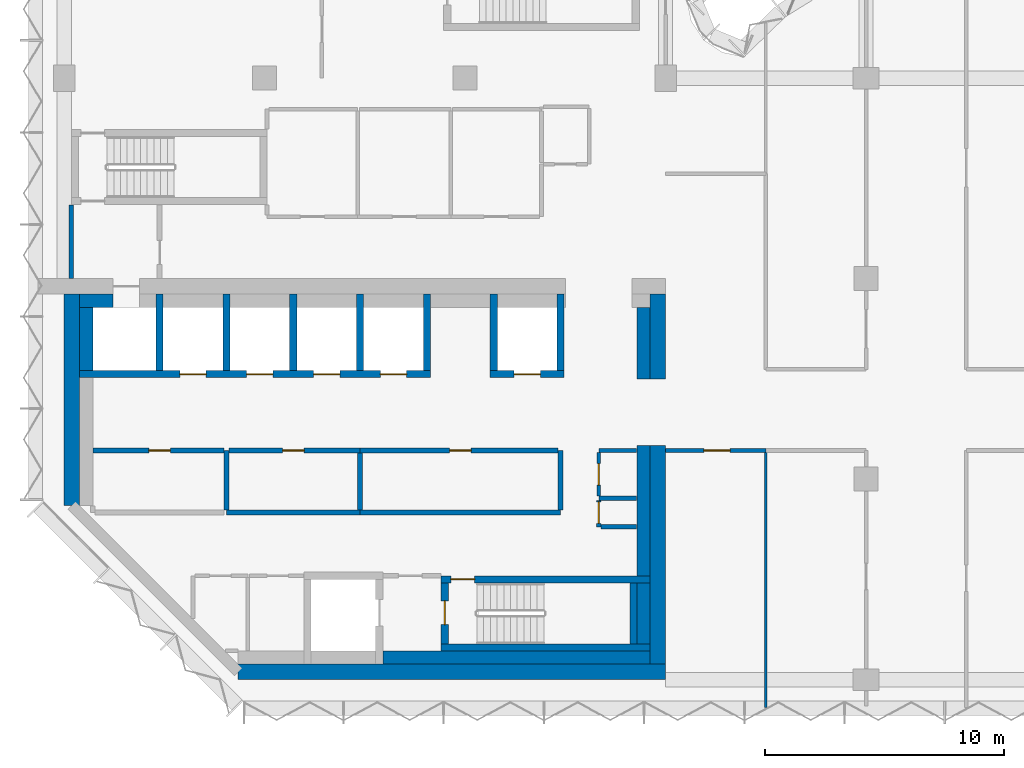
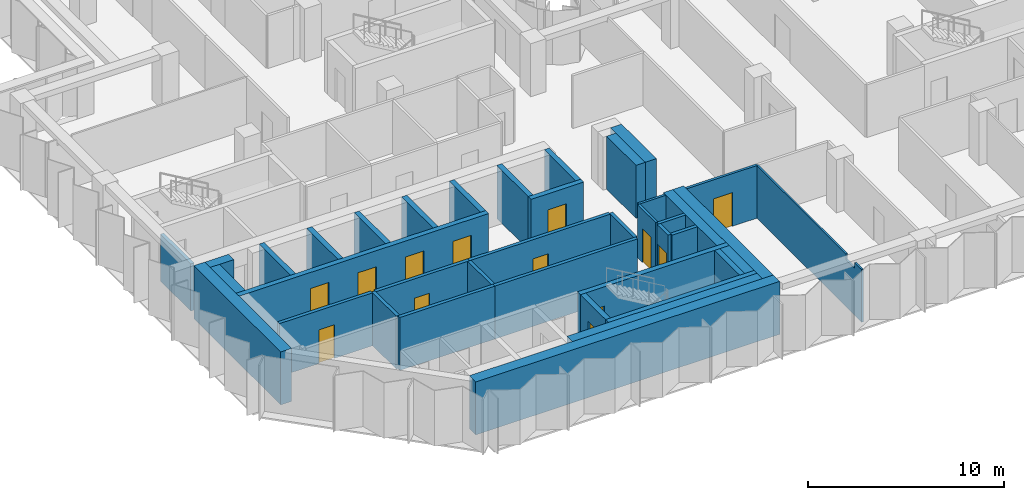
# One storey, part 5 of 10: 39 walls, 13 doors, 13 openings.
"""IFC4 building model written with IfcOpenShell, lengths in metres."""

import ifcopenshell
import ifcopenshell.guid

model = None  # the IFC model being written
_history = None  # IfcOwnerHistory: only IFC2X3 demands one
_inside = {}  # id of a spatial element -> (the spatial element, [elements in it])
_under = {}  # id of a project, library or spatial element -> (it, [spatial elements below it])
_declared = {}  # id of a project -> (the project, [libraries it declares])
_typed = {}  # id of a type object -> (the type object, [elements of that type])
_made_of = {}  # id of a material, layer set ... -> (it, [elements and type objects made of it])


def new_model(schema):
    """Start an empty IFC model of exactly this schema.

    Asked for "IFC4X3", IfcOpenShell would pick the latest addendum, in which some entities
    have other attributes; the version numbers below select the first issue.
    IFC2X3 requires an IfcOwnerHistory on every rooted entity: one is made here for all.
    """
    global model, _history
    if schema == "IFC4X3":
        model = ifcopenshell.file(schema_version=(4, 3, 0, 0))
    else:
        model = ifcopenshell.file(schema=schema)
    _inside.clear()
    _under.clear()
    _declared.clear()
    _typed.clear()
    _made_of.clear()
    _history = None
    if model.schema == "IFC2X3":
        org = make("IfcOrganization", Name="unknown")
        user = make(
            "IfcPersonAndOrganization",
            ThePerson=make("IfcPerson", FamilyName="unknown"),
            TheOrganization=org,
        )
        app = make(
            "IfcApplication",
            ApplicationDeveloper=org,
            Version="unknown",
            ApplicationFullName="unknown",
            ApplicationIdentifier="unknown",
        )
        _history = make(
            "IfcOwnerHistory",
            OwningUser=user,
            OwningApplication=app,
            ChangeAction="ADDED",
            CreationDate=0,
        )
    return model


def make(cls, **values):
    """One entity of the class cls with the attributes given. An attribute that is None is left unset."""
    return model.create_entity(
        cls, **{name: value for name, value in values.items() if value is not None}
    )


def rooted(cls, **values):
    """An entity with a GlobalId (a new one), such as an element, a storey or a relation."""
    return make(cls, GlobalId=ifcopenshell.guid.new(), OwnerHistory=_history, **values)


def si_unit(unit_type, name, prefix=None):
    """IfcSIUnit, for example si_unit("LENGTHUNIT", "METRE", prefix="MILLI")."""
    return make("IfcSIUnit", UnitType=unit_type, Prefix=prefix, Name=name)


def assignment(units):
    """IfcUnitAssignment: the units of a project."""
    return None if units is None else make("IfcUnitAssignment", Units=units)


def point(xyz):
    """IfcCartesianPoint."""
    return None if xyz is None else make("IfcCartesianPoint", Coordinates=xyz)


def direction(xyz):
    """IfcDirection."""
    return None if xyz is None else make("IfcDirection", DirectionRatios=xyz)


def frame(location, z_axis=None, x_axis=None):
    """IfcAxis2Placement3D, a coordinate frame: its origin and axes. An axis left out is left unset."""
    return make(
        "IfcAxis2Placement3D",
        Location=point(location),
        Axis=direction(z_axis),
        RefDirection=direction(x_axis),
    )


def frame_2d(location, x_axis=None):
    """IfcAxis2Placement2D, a coordinate frame in the plane: its origin and x axis."""
    return make(
        "IfcAxis2Placement2D", Location=point(location), RefDirection=direction(x_axis)
    )


def origin():
    """The frame at (0, 0, 0) with its axes left unset."""
    return frame((0.0, 0.0, 0.0))


def place(relative_to, where):
    """IfcLocalPlacement: puts the frame where relative to a parent placement (None: the world)."""
    return make(
        "IfcLocalPlacement", PlacementRelTo=relative_to, RelativePlacement=where
    )


def context(
    kind, dimensions, precision=None, world=None, true_north=None, identifier=None
):
    """IfcGeometricRepresentationContext, for example the 3D "Model" context."""
    return make(
        "IfcGeometricRepresentationContext",
        ContextIdentifier=identifier,
        ContextType=kind,
        CoordinateSpaceDimension=dimensions,
        Precision=precision,
        WorldCoordinateSystem=world,
        TrueNorth=true_north,
    )


def subcontext(parent, identifier, kind, view, scale=None):
    """IfcGeometricRepresentationSubContext, for example "Body" below "Model"."""
    return make(
        "IfcGeometricRepresentationSubContext",
        ContextIdentifier=identifier,
        ContextType=kind,
        ParentContext=parent,
        TargetScale=scale,
        TargetView=view,
    )


def project(units=None, contexts=None):
    """IfcProject with its units and contexts."""
    return rooted(
        "IfcProject",
        Name="project",
        RepresentationContexts=contexts,
        UnitsInContext=assignment(units),
    )


def spatial(cls, under=None, at=None, **own):
    """A site, building, storey or space (cls), placed at a placement, below another one or the project."""
    s = rooted(cls, ObjectPlacement=at, **own)
    if under is not None:
        _under.setdefault(under.id(), (under, []))[1].append(s)
    return s


def polyline(points):
    """IfcPolyline through the points."""
    return make("IfcPolyline", Points=[point(p) for p in points])


def profile(cls, at=None, kind="AREA", **sizes):
    """A parametric profile (cls). Its sizes go by their IFC names, for example OverallWidth=200.0."""
    return make(cls, ProfileType=kind, Position=at, **sizes)


def rectangle(**sizes):
    """IfcRectangleProfileDef."""
    return profile("IfcRectangleProfileDef", **sizes)


def outline(outer, holes=None, kind="AREA"):
    """IfcArbitraryClosedProfileDef: a profile drawn as a closed curve; with holes, ...WithVoids."""
    if holes is None:
        return make("IfcArbitraryClosedProfileDef", ProfileType=kind, OuterCurve=outer)
    return make(
        "IfcArbitraryProfileDefWithVoids",
        ProfileType=kind,
        OuterCurve=outer,
        InnerCurves=holes,
    )


def extrude(swept, where, along, depth):
    """IfcExtrudedAreaSolid: the profile swept, set in the frame where, extruded along a direction by depth."""
    return make(
        "IfcExtrudedAreaSolid",
        SweptArea=swept,
        Position=where,
        ExtrudedDirection=direction(along),
        Depth=depth,
    )


def shape(context_of_items, identifier, shape_type, items):
    """IfcShapeRepresentation: the items that make up one representation, for example the "Body"."""
    return make(
        "IfcShapeRepresentation",
        ContextOfItems=context_of_items,
        RepresentationIdentifier=identifier,
        RepresentationType=shape_type,
        Items=items,
    )


def material(Name=None, Category=None):
    """IfcMaterial."""
    return make("IfcMaterial", Name=Name, Category=Category)


def layer(
    of_material, thickness, ventilated=None, Name=None, Category=None, Priority=None
):
    """IfcMaterialLayer: one layer of a wall or slab, of a material (None: an air gap)."""
    return make(
        "IfcMaterialLayer",
        Material=of_material,
        LayerThickness=thickness,
        IsVentilated=ventilated,
        Name=Name,
        Category=Category,
        Priority=Priority,
    )


def layer_set(layers, Name=None):
    """IfcMaterialLayerSet."""
    return make("IfcMaterialLayerSet", MaterialLayers=layers, LayerSetName=Name)


def made_of(thing, what):
    """Note that an element or type object is made of a material, layer set ...; save() writes the relation."""
    if what is not None:
        _made_of.setdefault(what.id(), (what, []))[1].append(thing)
    return thing


def type_object(cls, material=None, **own):
    """A type object (cls), such as IfcWallType, which elements share."""
    return made_of(rooted(cls, **own), material)


def element(
    cls,
    number,
    at=None,
    inside=None,
    cuts=None,
    type_object=None,
    material=None,
    context=None,
    identifier="Body",
    shape_type=None,
    held_by="IfcProductDefinitionShape",
    body=None,
    shapes=None,
    **own,
):
    """One element of the class cls, such as IfcWall. Its Tag is "e" and its number.

    at: its placement. inside: the storey or other place that contains it. cuts: it is an
    opening in that element (IfcRelVoidsElement). A single representation is given by context,
    identifier, shape_type and body (its items); several are given by shapes. held_by: the class
    of the entity that holds the representations. save() writes the other relations.
    """
    e = rooted(cls, Tag="e%d" % number, ObjectPlacement=at, **own)
    if body is not None:
        shapes = [shape(context, identifier, shape_type, body)]
    if shapes is not None:
        e.Representation = make(held_by, Representations=shapes)
    if inside is not None:
        _inside.setdefault(inside.id(), (inside, []))[1].append(e)
    if cuts is not None:
        rooted(
            "IfcRelVoidsElement", RelatingBuildingElement=cuts, RelatedOpeningElement=e
        )
    if type_object is not None:
        _typed.setdefault(type_object.id(), (type_object, []))[1].append(e)
    return made_of(e, material)


def fill(opening, filler):
    """IfcRelFillsElement: the door or window that sits in an opening."""
    return rooted(
        "IfcRelFillsElement",
        RelatingOpeningElement=opening,
        RelatedBuildingElement=filler,
    )


def aggregate(whole, parts):
    """IfcRelAggregates: a whole, such as a stair, and the parts it consists of."""
    return rooted("IfcRelAggregates", RelatingObject=whole, RelatedObjects=parts)


def save(model, path):
    """Write the relations noted so far, then the file.

    IfcRelAggregates (storeys below a building ...), IfcRelContainedInSpatialStructure (elements
    in a storey), IfcRelDefinesByType, IfcRelAssociatesMaterial and IfcRelDeclares: one each for
    every whole, place, type object, material and project.
    """
    for whole, parts in _under.values():
        aggregate(whole, parts)
    for where, things in _inside.values():
        rooted(
            "IfcRelContainedInSpatialStructure",
            RelatedElements=things,
            RelatingStructure=where,
        )
    for kind, things in _typed.values():
        rooted("IfcRelDefinesByType", RelatedObjects=things, RelatingType=kind)
    for what, things in _made_of.values():
        rooted("IfcRelAssociatesMaterial", RelatedObjects=things, RelatingMaterial=what)
    for by, libraries in _declared.values():
        rooted("IfcRelDeclares", RelatingContext=by, RelatedDefinitions=libraries)
    model.write(path)


model = new_model("IFC4")

# Units and contexts
model_context = context("Model", 3, precision=1e-05, world=origin(), true_north=direction((0.0, 1.0)))
body_context = subcontext(model_context, "Body", "Model", "MODEL_VIEW")
ifc_project = project(units=[si_unit("LENGTHUNIT", "METRE"), si_unit("AREAUNIT", "SQUARE_METRE"), si_unit("VOLUMEUNIT", "CUBIC_METRE"), si_unit("PLANEANGLEUNIT", "RADIAN"), si_unit("MASSUNIT", "GRAM", prefix="KILO")], contexts=[model_context])

# Site, building, storey
site_placement = place(None, origin())
site = spatial("IfcSite", under=ifc_project, at=site_placement, CompositionType="ELEMENT")
building_placement = place(site_placement, origin())
building = spatial("IfcBuilding", under=site, at=building_placement, Name="Brevane Broadcast Tower", CompositionType="ELEMENT")
storey_placement = place(building_placement, frame((0.0, 0.0, 202.800048828125)))
storey = spatial("IfcBuildingStorey", under=building, at=storey_placement, Name="L51", CompositionType="ELEMENT", Elevation=202.800048828125)

# Walls
ifc_material_1 = material(Name="Concrete C32/40", Category="concrete")
ifc_layer_1 = layer(ifc_material_1, 0.550048828125)
ifc_layer_set_1 = layer_set([ifc_layer_1], Name="Core chase wall 550 mm")
wall_type_1 = type_object("IfcWallType", Name="Core chase wall 550 mm", PredefinedType="PARTITIONING", material=ifc_layer_set_1)
wall_1_placement = place(storey_placement, frame((24.27490234375, 12.60009765625, 0.0), z_axis=(0.0, 0.0, 1.0), x_axis=(0.0, 1.0, 0.0)))
element("IfcWall", 1, at=wall_1_placement, inside=storey, type_object=wall_type_1, Name="L51 chase wall LE2", PredefinedType="PARTITIONING", context=body_context, shape_type="SweptSolid", body=[
    extrude(rectangle(XDim=3.0, YDim=0.550048828125, at=frame_2d((1.5, 0.0))), origin(), (0.0, 0.0, 1.0), 3.300048828125),
])
wall_2_placement = place(storey_placement, frame((0.64990234375, 15.875, 0.0), z_axis=(0.0, 0.0, 1.0), x_axis=(1.0, 0.0, 0.0)))
element("IfcWall", 2, at=wall_2_placement, inside=storey, type_object=wall_type_1, Name="L51 chase wall LN0", PredefinedType="PARTITIONING", context=body_context, shape_type="SweptSolid", body=[
    extrude(rectangle(XDim=1.400146484375, YDim=0.550048828125, at=frame_2d((0.7001953125, 0.0))), origin(), (0.0, 0.0, 1.0), 3.300048828125),
])
wall_3_placement = place(storey_placement, frame((0.925048828125, 12.949951171875, 0.0), z_axis=(0.0, 0.0, 1.0), x_axis=(0.0, 1.0, 0.0)))
element("IfcWall", 3, at=wall_3_placement, inside=storey, type_object=wall_type_1, Name="L51 chase wall LW-2", PredefinedType="PARTITIONING", context=body_context, shape_type="SweptSolid", body=[
    extrude(rectangle(XDim=2.650146484375, YDim=0.550048828125, at=frame_2d((1.3251953125, 0.0))), origin(), (0.0, 0.0, 1.0), 3.300048828125),
])
wall_4_placement = place(storey_placement, frame((13.35009765625, 0.925048828125, 0.0), z_axis=(0.0, 0.0, 1.0), x_axis=(1.0, 0.0, 0.0)))
element("IfcWall", 4, at=wall_4_placement, inside=storey, type_object=wall_type_1, Name="L51 chase wall LS-2-2", PredefinedType="PARTITIONING", context=body_context, shape_type="SweptSolid", body=[
    extrude(rectangle(XDim=11.199951171875, YDim=0.550048828125, at=frame_2d((5.60009765625, 0.0))), origin(), (0.0, 0.0, 1.0), 3.300048828125),
])
wall_5_placement = place(storey_placement, frame((24.27490234375, 1.5, 0.0), z_axis=(0.0, 0.0, 1.0), x_axis=(0.0, 1.0, 0.0)))
element("IfcWall", 5, at=wall_5_placement, inside=storey, type_object=wall_type_1, Name="L51 chase wall LE1-2-1", PredefinedType="PARTITIONING", context=body_context, shape_type="SweptSolid", body=[
    extrude(rectangle(XDim=2.550048828125, YDim=0.550048828125, at=frame_2d((1.27490234375, 0.0))), origin(), (0.0, 0.0, 1.0), 3.300048828125),
])
wall_6_placement = place(storey_placement, frame((24.27490234375, 4.35009765625, 0.0), z_axis=(0.0, 0.0, 1.0), x_axis=(0.0, 1.0, 0.0)))
element("IfcWall", 6, at=wall_6_placement, inside=storey, type_object=wall_type_1, Name="L51 chase wall LE1-2-2", PredefinedType="PARTITIONING", context=body_context, shape_type="SweptSolid", body=[
    extrude(rectangle(XDim=5.449951171875, YDim=0.550048828125, at=frame_2d((2.72509765625, 0.0))), origin(), (0.0, 0.0, 1.0), 3.300048828125),
])
ifc_material_2 = material(Name="Gypsum board on steel studs", Category="steel")
ifc_layer_2 = layer(ifc_material_2, 0.14990234375)
ifc_layer_set_2 = layer_set([ifc_layer_2], Name="Core fire partition 150 mm")
wall_type_2 = type_object("IfcWallType", Name="Core fire partition 150 mm", PredefinedType="PARTITIONING", material=ifc_layer_set_2)
wall_7_placement = place(storey_placement, frame((23.988037109375, 9.60009765625, 0.0), z_axis=(0.0, 0.0, 1.0), x_axis=(-1.0, 0.0, 0.0)))
element("IfcWall", 7, at=wall_7_placement, inside=storey, type_object=wall_type_2, Name="L51 partition wall P38", PredefinedType="PARTITIONING", context=body_context, shape_type="SweptSolid", body=[
    extrude(rectangle(XDim=1.588134765625, YDim=0.14990234375, at=frame_2d((0.7939453125, 0.0))), origin(), (0.0, 0.0, 1.0), 3.300048828125),
])

# Wall, opening, door
wall_8_placement = place(storey_placement, frame((22.39990234375, 9.52490234375, 0.0), z_axis=(0.0, 0.0, 1.0), x_axis=(0.0, -1.0, 0.0)))
wall_8 = element("IfcWall", 8, at=wall_8_placement, inside=storey, type_object=wall_type_2, Name="L51 partition wall P39", PredefinedType="PARTITIONING", context=body_context, shape_type="SweptSolid", body=[
    extrude(rectangle(XDim=1.824951171875, YDim=0.14990234375, at=frame_2d((0.91259765625, 0.0))), origin(), (0.0, 0.0, 1.0), 3.300048828125),
])
opening_1_placement = place(wall_8_placement, frame((0.47509765625, 0.0, 0.0)))
opening_1 = element("IfcOpeningElement", 9, at=opening_1_placement, cuts=wall_8, Name="Opening L51-K18", PredefinedType="OPENING", context=body_context, shape_type="SweptSolid", body=[
    extrude(rectangle(XDim=0.89990234375, YDim=2.10009765625, at=frame_2d((0.449951171875, 1.050048828125))), frame((0.0, 0.0849609375, 0.0), z_axis=(0.0, -1.0, 0.0), x_axis=(1.0, 0.0, 0.0)), (0.0, 0.0, 1.0), 0.169921875),
])
ifc_material_3 = material(Name="Steel", Category="steel")
door_type_1 = type_object("IfcDoorType", Name="Service room door 900 x 2100", OperationType="SINGLE_SWING_LEFT", PredefinedType="DOOR", material=ifc_material_3)
door_1_placement = place(opening_1_placement, origin())
door_1 = element("IfcDoor", 10, at=door_1_placement, inside=storey, type_object=door_type_1, Name="Door L51-K18", OperationType="SINGLE_SWING_RIGHT", OverallHeight=2.10009765625, OverallWidth=0.89990234375, PredefinedType="DOOR", context=body_context, shape_type="SweptSolid", body=[
    extrude(rectangle(XDim=0.89990234375, YDim=2.10009765625, at=frame_2d((0.449951171875, 1.050048828125))), frame((0.0, 0.02490234375, 0.0), z_axis=(0.0, -1.0, 0.0), x_axis=(1.0, 0.0, 0.0)), (0.0, 0.0, 1.0), 0.050048828125),
])
fill(opening_1, door_1)

# Walls
ifc_layer_3 = layer(ifc_material_2, 0.199951171875)
ifc_layer_set_3 = layer_set([ifc_layer_3], Name="Core fire partition 200 mm")
wall_type_3 = type_object("IfcWallType", Name="Core fire partition 200 mm", PredefinedType="PARTITIONING", material=ifc_layer_set_3)
wall_9_placement = place(storey_placement, frame((0.300048828125, 16.81201171875, 0.0), z_axis=(0.0, 0.0, 1.0), x_axis=(0.0, 1.0, 0.0)))
element("IfcWall", 11, at=wall_9_placement, inside=storey, type_object=wall_type_3, Name="L51 partition wall P01", PredefinedType="PARTITIONING", context=body_context, shape_type="SweptSolid", body=[
    extrude(rectangle(XDim=3.075927734375, YDim=0.199951171875, at=frame_2d((1.5380859375, 0.0))), origin(), (0.0, 0.0, 1.0), 2.929931640625),
])
wall_10_placement = place(storey_placement, frame((6.800048828125, 7.0, 0.0), z_axis=(0.0, 0.0, 1.0), x_axis=(1.0, 0.0, 0.0)))
element("IfcWall", 12, at=wall_10_placement, inside=storey, type_object=wall_type_3, Name="L51 partition wall P04", PredefinedType="PARTITIONING", context=body_context, shape_type="SweptSolid", body=[
    extrude(rectangle(XDim=5.599853515625, YDim=0.199951171875, at=frame_2d((2.7998046875, 0.0))), origin(), (0.0, 0.0, 1.0), 3.300048828125),
])
wall_11_placement = place(storey_placement, frame((6.800048828125, 9.60009765625, 0.0), z_axis=(0.0, 0.0, 1.0), x_axis=(0.0, -1.0, 0.0)))
element("IfcWall", 13, at=wall_11_placement, inside=storey, type_object=wall_type_3, Name="L51 partition wall P05", PredefinedType="PARTITIONING", context=body_context, shape_type="SweptSolid", body=[
    extrude(rectangle(XDim=2.5, YDim=0.199951171875, at=frame_2d((1.25, 0.0))), origin(), (0.0, 0.0, 1.0), 3.300048828125),
])

# Wall, opening, door
wall_12_placement = place(storey_placement, frame((6.699951171875, 9.60009765625, 0.0), z_axis=(0.0, 0.0, 1.0), x_axis=(-1.0, 0.0, 0.0)))
wall_12 = element("IfcWall", 14, at=wall_12_placement, inside=storey, type_object=wall_type_3, Name="L51 partition wall P06", PredefinedType="PARTITIONING", context=body_context, shape_type="SweptSolid", body=[
    extrude(rectangle(XDim=5.488037109375, YDim=0.199951171875, at=frame_2d((2.744140625, 0.0))), origin(), (0.0, 0.0, 1.0), 3.300048828125),
])
opening_2_placement = place(wall_12_placement, frame((2.25, 0.0, 0.0)))
opening_2 = element("IfcOpeningElement", 15, at=opening_2_placement, cuts=wall_12, Name="Opening L51-K19", PredefinedType="OPENING", context=body_context, shape_type="SweptSolid", body=[
    extrude(rectangle(XDim=0.89990234375, YDim=2.10009765625, at=frame_2d((0.449951171875, 1.050048828125))), frame((0.0, 0.10986328125, 0.0), z_axis=(0.0, -1.0, 0.0), x_axis=(1.0, 0.0, 0.0)), (0.0, 0.0, 1.0), 0.219970703125),
])
door_2_placement = place(opening_2_placement, origin())
door_2 = element("IfcDoor", 16, at=door_2_placement, inside=storey, type_object=door_type_1, Name="Door L51-K19", OperationType="SINGLE_SWING_LEFT", OverallHeight=2.10009765625, OverallWidth=0.89990234375, PredefinedType="DOOR", context=body_context, shape_type="SweptSolid", body=[
    extrude(rectangle(XDim=0.89990234375, YDim=2.10009765625, at=frame_2d((0.449951171875, 1.050048828125))), frame((0.0, 0.02490234375, 0.0), z_axis=(0.0, -1.0, 0.0), x_axis=(1.0, 0.0, 0.0)), (0.0, 0.0, 1.0), 0.050048828125),
])
fill(opening_2, door_2)

wall_13_placement = place(storey_placement, frame((12.39990234375, 9.60009765625, 0.0), z_axis=(0.0, 0.0, 1.0), x_axis=(-1.0, 0.0, 0.0)))
wall_13 = element("IfcWall", 17, at=wall_13_placement, inside=storey, type_object=wall_type_3, Name="L51 partition wall P09", PredefinedType="PARTITIONING", context=body_context, shape_type="SweptSolid", body=[
    extrude(rectangle(XDim=5.5, YDim=0.199951171875, at=frame_2d((2.75, 0.0))), origin(), (0.0, 0.0, 1.0), 3.300048828125),
])
opening_3_placement = place(wall_13_placement, frame((2.35009765625, 0.0, 0.0)))
opening_3 = element("IfcOpeningElement", 18, at=opening_3_placement, cuts=wall_13, Name="Opening L51-K20", PredefinedType="OPENING", context=body_context, shape_type="SweptSolid", body=[
    extrude(rectangle(XDim=0.89990234375, YDim=2.10009765625, at=frame_2d((0.449951171875, 1.050048828125))), frame((0.0, 0.10986328125, 0.0), z_axis=(0.0, -1.0, 0.0), x_axis=(1.0, 0.0, 0.0)), (0.0, 0.0, 1.0), 0.219970703125),
])
door_3_placement = place(opening_3_placement, origin())
door_3 = element("IfcDoor", 19, at=door_3_placement, inside=storey, type_object=door_type_1, Name="Door L51-K20", OperationType="SINGLE_SWING_RIGHT", OverallHeight=2.10009765625, OverallWidth=0.89990234375, PredefinedType="DOOR", context=body_context, shape_type="SweptSolid", body=[
    extrude(rectangle(XDim=0.89990234375, YDim=2.10009765625, at=frame_2d((0.449951171875, 1.050048828125))), frame((0.0, 0.02490234375, 0.0), z_axis=(0.0, -1.0, 0.0), x_axis=(1.0, 0.0, 0.0)), (0.0, 0.0, 1.0), 0.050048828125),
])
fill(opening_3, door_3)

# Walls
wall_14_placement = place(storey_placement, frame((12.39990234375, 7.0, 0.0), z_axis=(0.0, 0.0, 1.0), x_axis=(1.0, 0.0, 0.0)))
element("IfcWall", 20, at=wall_14_placement, inside=storey, type_object=wall_type_3, Name="L51 partition wall P10", PredefinedType="PARTITIONING", context=body_context, shape_type="SweptSolid", body=[
    extrude(rectangle(XDim=8.400146484375, YDim=0.199951171875, at=frame_2d((4.2001953125, 0.0))), origin(), (0.0, 0.0, 1.0), 3.300048828125),
])
wall_15_placement = place(storey_placement, frame((20.800048828125, 7.10009765625, 0.0), z_axis=(0.0, 0.0, 1.0), x_axis=(0.0, 1.0, 0.0)))
element("IfcWall", 21, at=wall_15_placement, inside=storey, type_object=wall_type_3, Name="L51 partition wall P11", PredefinedType="PARTITIONING", context=body_context, shape_type="SweptSolid", body=[
    extrude(rectangle(XDim=2.5, YDim=0.199951171875, at=frame_2d((1.25, 0.0))), origin(), (0.0, 0.0, 1.0), 3.300048828125),
])

# Wall, opening, door
wall_16_placement = place(storey_placement, frame((20.699951171875, 9.60009765625, 0.0), z_axis=(0.0, 0.0, 1.0), x_axis=(-1.0, 0.0, 0.0)))
wall_16 = element("IfcWall", 22, at=wall_16_placement, inside=storey, type_object=wall_type_3, Name="L51 partition wall P12", PredefinedType="PARTITIONING", context=body_context, shape_type="SweptSolid", body=[
    extrude(rectangle(XDim=8.300048828125, YDim=0.199951171875, at=frame_2d((4.14990234375, 0.0))), origin(), (0.0, 0.0, 1.0), 3.300048828125),
])
opening_4_placement = place(wall_16_placement, frame((3.64990234375, 0.0, 0.0)))
opening_4 = element("IfcOpeningElement", 23, at=opening_4_placement, cuts=wall_16, Name="Opening L51-K21", PredefinedType="OPENING", context=body_context, shape_type="SweptSolid", body=[
    extrude(rectangle(XDim=0.89990234375, YDim=2.10009765625, at=frame_2d((0.449951171875, 1.050048828125))), frame((0.0, 0.10986328125, 0.0), z_axis=(0.0, -1.0, 0.0), x_axis=(1.0, 0.0, 0.0)), (0.0, 0.0, 1.0), 0.219970703125),
])
door_4_placement = place(opening_4_placement, origin())
door_4 = element("IfcDoor", 24, at=door_4_placement, inside=storey, type_object=door_type_1, Name="Door L51-K21", OperationType="SINGLE_SWING_LEFT", OverallHeight=2.10009765625, OverallWidth=0.89990234375, PredefinedType="DOOR", context=body_context, shape_type="SweptSolid", body=[
    extrude(rectangle(XDim=0.89990234375, YDim=2.10009765625, at=frame_2d((0.449951171875, 1.050048828125))), frame((0.0, 0.02490234375, 0.0), z_axis=(0.0, -1.0, 0.0), x_axis=(1.0, 0.0, 0.0)), (0.0, 0.0, 1.0), 0.050048828125),
])
fill(opening_4, door_4)

# Walls
wall_17_placement = place(storey_placement, frame((12.39990234375, 9.5, 0.0), z_axis=(0.0, 0.0, 1.0), x_axis=(0.0, -1.0, 0.0)))
element("IfcWall", 25, at=wall_17_placement, inside=storey, type_object=wall_type_3, Name="L51 partition wall P13", PredefinedType="PARTITIONING", context=body_context, shape_type="SweptSolid", body=[
    extrude(rectangle(XDim=2.39990234375, YDim=0.199951171875, at=frame_2d((1.199951171875, 0.0))), origin(), (0.0, 0.0, 1.0), 3.300048828125),
])
wall_18_placement = place(storey_placement, frame((23.988037109375, 7.60009765625, 0.0), z_axis=(0.0, 0.0, 1.0), x_axis=(-1.0, 0.0, 0.0)))
element("IfcWall", 26, at=wall_18_placement, inside=storey, type_object=wall_type_3, Name="L51 partition wall P14", PredefinedType="PARTITIONING", context=body_context, shape_type="SweptSolid", body=[
    extrude(rectangle(XDim=1.588134765625, YDim=0.199951171875, at=frame_2d((0.7939453125, 0.0))), origin(), (0.0, 0.0, 1.0), 3.300048828125),
])

# Wall, opening, door
wall_19_placement = place(storey_placement, frame((22.39990234375, 7.5, 0.0), z_axis=(0.0, 0.0, 1.0), x_axis=(0.0, -1.0, 0.0)))
wall_19 = element("IfcWall", 27, at=wall_19_placement, inside=storey, type_object=wall_type_3, Name="L51 partition wall P15", PredefinedType="PARTITIONING", context=body_context, shape_type="SweptSolid", body=[
    extrude(rectangle(XDim=1.10009765625, YDim=0.199951171875, at=frame_2d((0.550048828125, 0.0))), origin(), (0.0, 0.0, 1.0), 3.300048828125),
])
opening_5_placement = place(wall_19_placement, frame((0.050048828125, 0.0, 0.0)))
opening_5 = element("IfcOpeningElement", 28, at=opening_5_placement, cuts=wall_19, Name="Opening L51-K17", PredefinedType="OPENING", context=body_context, shape_type="SweptSolid", body=[
    extrude(rectangle(XDim=0.89990234375, YDim=2.10009765625, at=frame_2d((0.449951171875, 1.050048828125))), frame((0.0, 0.10986328125, 0.0), z_axis=(0.0, -1.0, 0.0), x_axis=(1.0, 0.0, 0.0)), (0.0, 0.0, 1.0), 0.219970703125),
])
door_5_placement = place(opening_5_placement, origin())
door_5 = element("IfcDoor", 29, at=door_5_placement, inside=storey, type_object=door_type_1, Name="Door L51-K17", OperationType="SINGLE_SWING_LEFT", OverallHeight=2.10009765625, OverallWidth=0.89990234375, PredefinedType="DOOR", context=body_context, shape_type="SweptSolid", body=[
    extrude(rectangle(XDim=0.89990234375, YDim=2.10009765625, at=frame_2d((0.449951171875, 1.050048828125))), frame((0.0, 0.02490234375, 0.0), z_axis=(0.0, -1.0, 0.0), x_axis=(1.0, 0.0, 0.0)), (0.0, 0.0, 1.0), 0.050048828125),
])
fill(opening_5, door_5)

# Wall
wall_20_placement = place(storey_placement, frame((22.5, 6.39990234375, 0.0), z_axis=(0.0, 0.0, 1.0), x_axis=(1.0, 0.0, 0.0)))
element("IfcWall", 30, at=wall_20_placement, inside=storey, type_object=wall_type_3, Name="L51 partition wall P16", PredefinedType="PARTITIONING", context=body_context, shape_type="SweptSolid", body=[
    extrude(rectangle(XDim=1.488037109375, YDim=0.199951171875, at=frame_2d((0.744140625, 0.0))), origin(), (0.0, 0.0, 1.0), 3.300048828125),
])

# Wall, openings, doors
ifc_material_4 = material(Name="Concrete C60/75", Category="concrete")
ifc_layer_4 = layer(ifc_material_4, 0.300048828125)
ifc_layer_set_4 = layer_set([ifc_layer_4], Name="Core wall 300 mm C60/75")
wall_type_4 = type_object("IfcWallType", Name="Core wall 300 mm C60/75", PredefinedType="SHEAR", material=ifc_layer_set_4)
wall_21_placement = place(storey_placement, frame((0.64990234375, 12.800048828125, 0.0), z_axis=(0.0, 0.0, 1.0), x_axis=(1.0, 0.0, 0.0)))
wall_21 = element("IfcWall", 31, at=wall_21_placement, inside=storey, type_object=wall_type_4, Name="L51 shaft wall SH-N012-front", PredefinedType="SHEAR", context=body_context, shape_type="SweptSolid", body=[
    extrude(rectangle(XDim=14.7001953125, YDim=0.300048828125, at=frame_2d((7.35009765625, 0.0))), origin(), (0.0, 0.0, 1.0), 3.300048828125),
])
opening_6_placement = place(wall_21_placement, frame((4.199951171875, 0.0, 0.0)))
opening_6 = element("IfcOpeningElement", 32, at=opening_6_placement, cuts=wall_21, Name="Opening LD", PredefinedType="OPENING", context=body_context, shape_type="SweptSolid", body=[
    extrude(rectangle(XDim=1.10009765625, YDim=2.300048828125, at=frame_2d((0.550048828125, 1.14990234375))), frame((0.0, 0.159912109375, 0.0), z_axis=(0.0, -1.0, 0.0), x_axis=(1.0, 0.0, 0.0)), (0.0, 0.0, 1.0), 0.320068359375),
])
opening_7_placement = place(wall_21_placement, frame((7.0, 0.0, 0.0)))
opening_7 = element("IfcOpeningElement", 33, at=opening_7_placement, cuts=wall_21, Name="Opening LD", PredefinedType="OPENING", context=body_context, shape_type="SweptSolid", body=[
    extrude(rectangle(XDim=1.10009765625, YDim=2.300048828125, at=frame_2d((0.550048828125, 1.14990234375))), frame((0.0, 0.159912109375, 0.0), z_axis=(0.0, -1.0, 0.0), x_axis=(1.0, 0.0, 0.0)), (0.0, 0.0, 1.0), 0.320068359375),
])
opening_8_placement = place(wall_21_placement, frame((9.800048828125, 0.0, 0.0)))
opening_8 = element("IfcOpeningElement", 34, at=opening_8_placement, cuts=wall_21, Name="Opening LD", PredefinedType="OPENING", context=body_context, shape_type="SweptSolid", body=[
    extrude(rectangle(XDim=1.10009765625, YDim=2.300048828125, at=frame_2d((0.550048828125, 1.14990234375))), frame((0.0, 0.159912109375, 0.0), z_axis=(0.0, -1.0, 0.0), x_axis=(1.0, 0.0, 0.0)), (0.0, 0.0, 1.0), 0.320068359375),
])
opening_9_placement = place(wall_21_placement, frame((12.60009765625, 0.0, 0.0)))
opening_9 = element("IfcOpeningElement", 35, at=opening_9_placement, cuts=wall_21, Name="Opening LD", PredefinedType="OPENING", context=body_context, shape_type="SweptSolid", body=[
    extrude(rectangle(XDim=1.10009765625, YDim=2.300048828125, at=frame_2d((0.550048828125, 1.14990234375))), frame((0.0, 0.159912109375, 0.0), z_axis=(0.0, -1.0, 0.0), x_axis=(1.0, 0.0, 0.0)), (0.0, 0.0, 1.0), 0.320068359375),
])
ifc_material_5 = material(Name="Stainless steel", Category="steel")
door_type_2 = type_object("IfcDoorType", Name="Lift landing door", OperationType="SLIDING_TO_LEFT", PredefinedType="DOOR", material=ifc_material_5)
door_6_placement = place(opening_6_placement, origin())
door_6 = element("IfcDoor", 36, at=door_6_placement, inside=storey, type_object=door_type_2, Name="Landing door HR1 L51", OperationType="SLIDING_TO_LEFT", OverallHeight=2.300048828125, OverallWidth=1.10009765625, PredefinedType="DOOR", context=body_context, shape_type="SweptSolid", body=[
    extrude(rectangle(XDim=1.10009765625, YDim=2.300048828125, at=frame_2d((0.550048828125, 1.14990234375))), frame((0.0, 0.02490234375, 0.0), z_axis=(0.0, -1.0, 0.0), x_axis=(1.0, 0.0, 0.0)), (0.0, 0.0, 1.0), 0.050048828125),
])
fill(opening_6, door_6)
door_7_placement = place(opening_7_placement, origin())
door_7 = element("IfcDoor", 37, at=door_7_placement, inside=storey, type_object=door_type_2, Name="Landing door HR2 L51", OperationType="SLIDING_TO_LEFT", OverallHeight=2.300048828125, OverallWidth=1.10009765625, PredefinedType="DOOR", context=body_context, shape_type="SweptSolid", body=[
    extrude(rectangle(XDim=1.10009765625, YDim=2.300048828125, at=frame_2d((0.550048828125, 1.14990234375))), frame((0.0, 0.02490234375, 0.0), z_axis=(0.0, -1.0, 0.0), x_axis=(1.0, 0.0, 0.0)), (0.0, 0.0, 1.0), 0.050048828125),
])
fill(opening_7, door_7)
door_8_placement = place(opening_8_placement, origin())
door_8 = element("IfcDoor", 38, at=door_8_placement, inside=storey, type_object=door_type_2, Name="Landing door HR3 L51", OperationType="SLIDING_TO_LEFT", OverallHeight=2.300048828125, OverallWidth=1.10009765625, PredefinedType="DOOR", context=body_context, shape_type="SweptSolid", body=[
    extrude(rectangle(XDim=1.10009765625, YDim=2.300048828125, at=frame_2d((0.550048828125, 1.14990234375))), frame((0.0, 0.02490234375, 0.0), z_axis=(0.0, -1.0, 0.0), x_axis=(1.0, 0.0, 0.0)), (0.0, 0.0, 1.0), 0.050048828125),
])
fill(opening_8, door_8)
door_9_placement = place(opening_9_placement, origin())
door_9 = element("IfcDoor", 39, at=door_9_placement, inside=storey, type_object=door_type_2, Name="Landing door HR4 L51", OperationType="SLIDING_TO_LEFT", OverallHeight=2.300048828125, OverallWidth=1.10009765625, PredefinedType="DOOR", context=body_context, shape_type="SweptSolid", body=[
    extrude(rectangle(XDim=1.10009765625, YDim=2.300048828125, at=frame_2d((0.550048828125, 1.14990234375))), frame((0.0, 0.02490234375, 0.0), z_axis=(0.0, -1.0, 0.0), x_axis=(1.0, 0.0, 0.0)), (0.0, 0.0, 1.0), 0.050048828125),
])
fill(opening_9, door_9)

# Walls
for number, where, z_axis, x_axis, name in (
    (40, (4.0, 12.949951171875, 0.0), (0.0, 0.0, 1.0), (0.0, 1.0, 0.0), "L51 shaft wall SH-N-P040"),
    (41, (6.800048828125, 12.949951171875, 0.0), (0.0, 0.0, 1.0), (0.0, 1.0, 0.0), "L51 shaft wall SH-N-P068"),
    (42, (9.60009765625, 12.949951171875, 0.0), (0.0, 0.0, 1.0), (0.0, 1.0, 0.0), "L51 shaft wall SH-N-P096"),
    (43, (12.39990234375, 12.949951171875, 0.0), (0.0, 0.0, 1.0), (0.0, 1.0, 0.0), "L51 shaft wall SH-N-P124"),
    (44, (15.199951171875, 12.949951171875, 0.0), (0.0, 0.0, 1.0), (0.0, 1.0, 0.0), "L51 shaft wall SH-N-P152"),
):
    element("IfcWall", number, at=place(storey_placement, frame(where, z_axis=z_axis, x_axis=x_axis)), inside=storey, type_object=wall_type_4, Name=name, PredefinedType="SHEAR", context=body_context, shape_type="SweptSolid", body=[
        extrude(rectangle(XDim=3.199951171875, YDim=0.300048828125, at=frame_2d((1.60009765625, 0.0))), origin(), (0.0, 0.0, 1.0), 3.300048828125),
    ])

# Wall, opening, door
wall_22_placement = place(storey_placement, frame((17.85009765625, 12.800048828125, 0.0), z_axis=(0.0, 0.0, 1.0), x_axis=(1.0, 0.0, 0.0)))
wall_22 = element("IfcWall", 45, at=wall_22_placement, inside=storey, type_object=wall_type_4, Name="L51 shaft wall SH-N180-front", PredefinedType="SHEAR", context=body_context, shape_type="SweptSolid", body=[
    extrude(rectangle(XDim=3.099853515625, YDim=0.300048828125, at=frame_2d((1.5498046875, 0.0))), origin(), (0.0, 0.0, 1.0), 3.300048828125),
])
opening_10_placement = place(wall_22_placement, frame((1.0, 0.0, 0.0)))
opening_10 = element("IfcOpeningElement", 46, at=opening_10_placement, cuts=wall_22, Name="Opening LD", PredefinedType="OPENING", context=body_context, shape_type="SweptSolid", body=[
    extrude(rectangle(XDim=1.10009765625, YDim=2.300048828125, at=frame_2d((0.550048828125, 1.14990234375))), frame((0.0, 0.159912109375, 0.0), z_axis=(0.0, -1.0, 0.0), x_axis=(1.0, 0.0, 0.0)), (0.0, 0.0, 1.0), 0.320068359375),
])
door_10_placement = place(opening_10_placement, origin())
door_10 = element("IfcDoor", 47, at=door_10_placement, inside=storey, type_object=door_type_2, Name="Landing door SL1 L51", OperationType="SLIDING_TO_LEFT", OverallHeight=2.300048828125, OverallWidth=1.10009765625, PredefinedType="DOOR", context=body_context, shape_type="SweptSolid", body=[
    extrude(rectangle(XDim=1.10009765625, YDim=2.300048828125, at=frame_2d((0.550048828125, 1.14990234375))), frame((0.0, 0.02490234375, 0.0), z_axis=(0.0, -1.0, 0.0), x_axis=(1.0, 0.0, 0.0)), (0.0, 0.0, 1.0), 0.050048828125),
])
fill(opening_10, door_10)

# Walls
for number, where, z_axis, x_axis, name in (
    (48, (18.0, 12.949951171875, 0.0), (0.0, 0.0, 1.0), (0.0, 1.0, 0.0), "L51 shaft wall SH-N-P180"),
    (49, (20.800048828125, 12.949951171875, 0.0), (0.0, 0.0, 1.0), (0.0, 1.0, 0.0), "L51 shaft wall SH-N-P208"),
):
    element("IfcWall", number, at=place(storey_placement, frame(where, z_axis=z_axis, x_axis=x_axis)), inside=storey, type_object=wall_type_4, Name=name, PredefinedType="SHEAR", context=body_context, shape_type="SweptSolid", body=[
        extrude(rectangle(XDim=3.199951171875, YDim=0.300048828125, at=frame_2d((1.60009765625, 0.0))), origin(), (0.0, 0.0, 1.0), 3.300048828125),
    ])
wall_23_placement = place(storey_placement, frame((15.800048828125, 1.35009765625, 0.0), z_axis=(0.0, 0.0, 1.0), x_axis=(1.0, 0.0, 0.0)))
element("IfcWall", 50, at=wall_23_placement, inside=storey, type_object=wall_type_4, Name="L51 stair wall ST-2-S", PredefinedType="SHEAR", context=body_context, shape_type="SweptSolid", body=[
    extrude(rectangle(XDim=8.75, YDim=0.300048828125, at=frame_2d((4.375, 0.0))), origin(), (0.0, 0.0, 1.0), 3.300048828125),
])

# Wall, opening, door
wall_24_placement = place(storey_placement, frame((15.800048828125, 4.199951171875, 0.0), z_axis=(0.0, 0.0, 1.0), x_axis=(1.0, 0.0, 0.0)))
wall_24 = element("IfcWall", 51, at=wall_24_placement, inside=storey, type_object=wall_type_4, Name="L51 stair wall ST-2-N", PredefinedType="SHEAR", context=body_context, shape_type="SweptSolid", body=[
    extrude(rectangle(XDim=8.75, YDim=0.300048828125, at=frame_2d((4.375, 0.0))), origin(), (0.0, 0.0, 1.0), 3.300048828125),
])
opening_11_placement = place(wall_24_placement, frame((0.39990234375, 0.0, 0.0)))
opening_11 = element("IfcOpeningElement", 52, at=opening_11_placement, cuts=wall_24, Name="Opening L51-K11", PredefinedType="OPENING", context=body_context, shape_type="SweptSolid", body=[
    extrude(rectangle(XDim=1.0, YDim=2.10009765625, at=frame_2d((0.5, 1.050048828125))), frame((0.0, 0.159912109375, 0.0), z_axis=(0.0, -1.0, 0.0), x_axis=(1.0, 0.0, 0.0)), (0.0, 0.0, 1.0), 0.320068359375),
])
door_type_3 = type_object("IfcDoorType", Name="Stair door 1000 x 2100", OperationType="SINGLE_SWING_LEFT", PredefinedType="DOOR", material=ifc_material_3)
door_11_placement = place(opening_11_placement, origin())
door_11 = element("IfcDoor", 53, at=door_11_placement, inside=storey, type_object=door_type_3, Name="Door L51-K11", OperationType="SINGLE_SWING_LEFT", OverallHeight=2.10009765625, OverallWidth=1.0, PredefinedType="DOOR", context=body_context, shape_type="SweptSolid", body=[
    extrude(rectangle(XDim=1.0, YDim=2.10009765625, at=frame_2d((0.5, 1.050048828125))), frame((0.0, 0.02490234375, 0.0), z_axis=(0.0, -1.0, 0.0), x_axis=(1.0, 0.0, 0.0)), (0.0, 0.0, 1.0), 0.050048828125),
])
fill(opening_11, door_11)

wall_25_placement = place(storey_placement, frame((15.949951171875, 1.5, 0.0), z_axis=(0.0, 0.0, 1.0), x_axis=(0.0, 1.0, 0.0)))
wall_25 = element("IfcWall", 54, at=wall_25_placement, inside=storey, type_object=wall_type_4, Name="L51 stair wall ST-2-W", PredefinedType="SHEAR", context=body_context, shape_type="SweptSolid", body=[
    extrude(rectangle(XDim=2.550048828125, YDim=0.300048828125, at=frame_2d((1.27490234375, 0.0))), origin(), (0.0, 0.0, 1.0), 3.300048828125),
])
opening_12_placement = place(wall_25_placement, frame((0.800048828125, 0.0, 0.0)))
opening_12 = element("IfcOpeningElement", 55, at=opening_12_placement, cuts=wall_25, Name="Opening L51-K10", PredefinedType="OPENING", context=body_context, shape_type="SweptSolid", body=[
    extrude(rectangle(XDim=1.0, YDim=2.10009765625, at=frame_2d((0.5, 1.050048828125))), frame((0.0, 0.159912109375, 0.0), z_axis=(0.0, -1.0, 0.0), x_axis=(1.0, 0.0, 0.0)), (0.0, 0.0, 1.0), 0.320068359375),
])
door_12_placement = place(opening_12_placement, origin())
door_12 = element("IfcDoor", 56, at=door_12_placement, inside=storey, type_object=door_type_3, Name="Door L51-K10", OperationType="SINGLE_SWING_RIGHT", OverallHeight=2.10009765625, OverallWidth=1.0, PredefinedType="DOOR", context=body_context, shape_type="SweptSolid", body=[
    extrude(rectangle(XDim=1.0, YDim=2.10009765625, at=frame_2d((0.5, 1.050048828125))), frame((0.0, 0.02490234375, 0.0), z_axis=(0.0, -1.0, 0.0), x_axis=(1.0, 0.0, 0.0)), (0.0, 0.0, 1.0), 0.050048828125),
])
fill(opening_12, door_12)

# Walls
wall_26_placement = place(storey_placement, frame((23.85009765625, 1.5, 0.0), z_axis=(0.0, 0.0, 1.0), x_axis=(0.0, 1.0, 0.0)))
element("IfcWall", 57, at=wall_26_placement, inside=storey, type_object=wall_type_4, Name="L51 stair wall ST-2-E", PredefinedType="SHEAR", context=body_context, shape_type="SweptSolid", body=[
    extrude(rectangle(XDim=2.550048828125, YDim=0.300048828125, at=frame_2d((1.27490234375, 0.0))), origin(), (0.0, 0.0, 1.0), 3.300048828125),
])
ifc_layer_5 = layer(ifc_material_4, 0.64990234375)
ifc_layer_set_5 = layer_set([ifc_layer_5], Name="Core wall 650 mm C60/75")
wall_type_5 = type_object("IfcWallType", Name="Core wall 650 mm C60/75", PredefinedType="SHEAR", material=ifc_layer_set_5)
wall_27_placement = place(storey_placement, frame((7.286376953125, 0.324951171875, 0.0), z_axis=(0.0, 0.0, 1.0), x_axis=(1.0, 0.0, 0.0)))
element("IfcWall", 58, at=wall_27_placement, inside=storey, type_object=wall_type_5, Name="L51 outer wall WS", PredefinedType="SHEAR", context=body_context, shape_type="SweptSolid", body=[
    extrude(rectangle(XDim=17.91357421875, YDim=0.64990234375, at=frame_2d((8.956787109375, 0.0))), origin(), (0.0, 0.0, 1.0), 3.300048828125),
])
wall_28_placement = place(storey_placement, frame((0.324951171875, 7.286376953125, 0.0), z_axis=(0.0, 0.0, 1.0), x_axis=(0.0, 1.0, 0.0)))
element("IfcWall", 59, at=wall_28_placement, inside=storey, type_object=wall_type_5, Name="L51 outer wall WW", PredefinedType="SHEAR", context=body_context, shape_type="SweptSolid", body=[
    extrude(rectangle(XDim=8.863525390625, YDim=0.64990234375, at=frame_2d((4.431640625, 0.0))), origin(), (0.0, 0.0, 1.0), 3.300048828125),
])
wall_29_placement = place(storey_placement, frame((24.875, 0.64990234375, 0.0), z_axis=(0.0, 0.0, 1.0), x_axis=(0.0, 1.0, 0.0)))
element("IfcWall", 60, at=wall_29_placement, inside=storey, type_object=wall_type_5, Name="L51 outer wall WE1", PredefinedType="SHEAR", context=body_context, shape_type="SweptSolid", body=[
    extrude(rectangle(XDim=9.150146484375, YDim=0.64990234375, at=frame_2d((4.5751953125, 0.0))), origin(), (0.0, 0.0, 1.0), 3.300048828125),
])
wall_30_placement = place(storey_placement, frame((24.875, 12.60009765625, 0.0), z_axis=(0.0, 0.0, 1.0), x_axis=(0.0, 1.0, 0.0)))
element("IfcWall", 61, at=wall_30_placement, inside=storey, type_object=wall_type_5, Name="L51 outer wall WE2", PredefinedType="SHEAR", context=body_context, shape_type="SweptSolid", body=[
    extrude(rectangle(XDim=3.5498046875, YDim=0.64990234375, at=frame_2d((1.77490234375, 0.0))), origin(), (0.0, 0.0, 1.0), 3.300048828125),
])
ifc_material_6 = material(Name="Gypsum board partition")
ifc_layer_6 = layer(ifc_material_6, 0.10009765625)
ifc_layer_set_6 = layer_set([ifc_layer_6], Name="PARTITION 100 STUD")
wall_type_6 = type_object("IfcWallType", Name="PARTITION 100 STUD", PredefinedType="PARTITIONING", material=ifc_layer_set_6)
wall_31_placement = place(storey_placement, frame((29.39990234375, 9.60009765625, 0.0), z_axis=(0.0, 0.0, 1.0), x_axis=(0.0, -1.0, 0.0)))
element("IfcWall", 62, at=wall_31_placement, inside=storey, type_object=wall_type_6, Name="Partition G15-019", PredefinedType="PARTITIONING", context=body_context, shape_type="SweptSolid", body=[
    extrude(outline(polyline([(0.0, 0.0), (10.774169921875, 0.0), (10.77392578125, 3.280029296875), (10.699951171875, 3.280029296875), (10.050048828125, 3.280029296875), (10.048095703125, 2.929931640625), (9.152099609375, 2.929931640625), (9.14990234375, 3.280029296875), (0.0, 3.280029296875), (0.0, 0.0)])), frame((0.0, 0.050048828125, 0.0), z_axis=(0.0, -1.0, 0.0), x_axis=(1.0, 0.0, 0.0)), (0.0, 0.0, 1.0), 0.10009765625),
])

# Wall, opening, door
ifc_layer_7 = layer(ifc_material_6, 0.14990234375)
ifc_layer_set_7 = layer_set([ifc_layer_7], Name="PARTITION 150 EI 60")
wall_type_7 = type_object("IfcWallType", Name="PARTITION 150 EI 60", PredefinedType="PARTITIONING", material=ifc_layer_set_7)
wall_32_placement = place(storey_placement, frame((29.39990234375, 9.60009765625, 0.0), z_axis=(0.0, 0.0, 1.0), x_axis=(-1.0, 0.0, 0.0)))
wall_32 = element("IfcWall", 63, at=wall_32_placement, inside=storey, type_object=wall_type_7, Name="Partition G15-002", PredefinedType="PARTITIONING", context=body_context, shape_type="SweptSolid", body=[
    extrude(rectangle(XDim=4.199951171875, YDim=0.14990234375, at=frame_2d((2.10009765625, 0.0))), origin(), (0.0, 0.0, 1.0), 3.280029296875),
])
opening_13_placement = place(wall_32_placement, frame((1.5, 0.0, 0.0)))
opening_13 = element("IfcOpeningElement", 64, at=opening_13_placement, cuts=wall_32, Name="Opening D24-003", PredefinedType="OPENING", context=body_context, shape_type="SweptSolid", body=[
    extrude(rectangle(XDim=1.10009765625, YDim=2.10009765625, at=frame_2d((0.550048828125, 1.050048828125))), frame((0.0, 0.0849609375, 0.0), z_axis=(0.0, -1.0, 0.0), x_axis=(1.0, 0.0, 0.0)), (0.0, 0.0, 1.0), 0.169921875),
])
ifc_material_7 = material(Name="Fire-rated timber door leaf", Category="wood")
door_type_4 = type_object("IfcDoorType", Name="DOOR SINGLE 1100 FD30S", OperationType="SINGLE_SWING_LEFT", PredefinedType="DOOR", material=ifc_material_7)
door_13_placement = place(opening_13_placement, origin())
door_13 = element("IfcDoor", 65, at=door_13_placement, inside=storey, type_object=door_type_4, Name="Door D24-003", OperationType="SINGLE_SWING_LEFT", OverallHeight=2.10009765625, OverallWidth=1.10009765625, PredefinedType="DOOR", context=body_context, shape_type="SweptSolid", body=[
    extrude(rectangle(XDim=1.10009765625, YDim=2.10009765625, at=frame_2d((0.550048828125, 1.050048828125))), frame((0.0, 0.02490234375, 0.0), z_axis=(0.0, -1.0, 0.0), x_axis=(1.0, 0.0, 0.0)), (0.0, 0.0, 1.0), 0.050048828125),
])
fill(opening_13, door_13)

save(model, "model.ifc")
